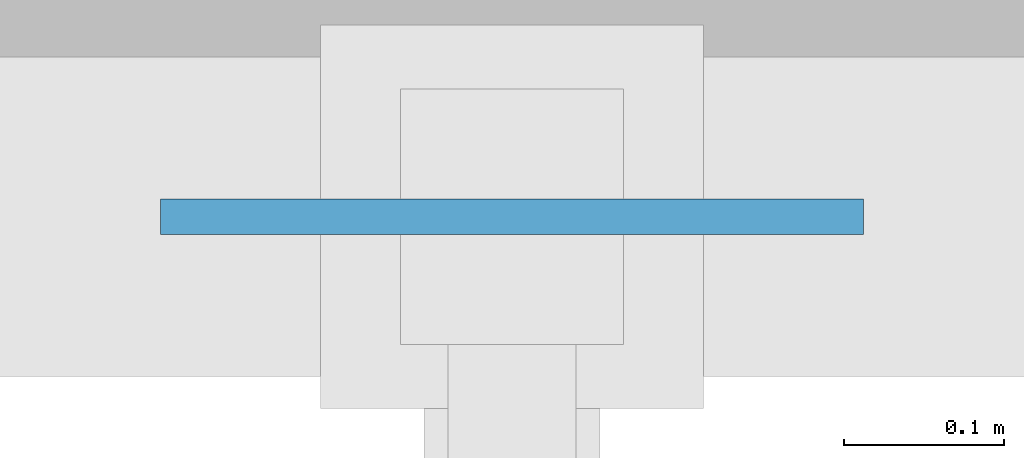
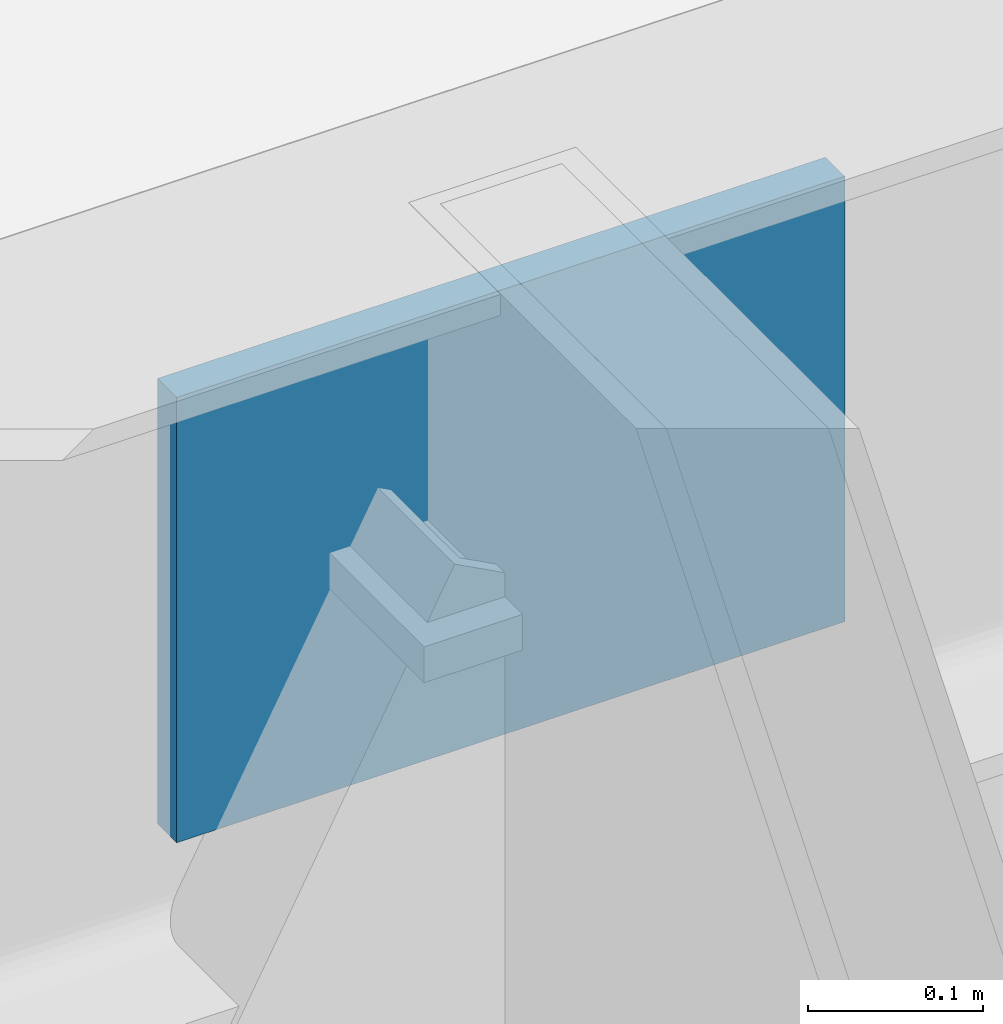
# One storey, part 86 of 138: 1 plate.
"""IFC4 building model written with IfcOpenShell, lengths in metres."""

from ifc_helpers import new_model, si_unit, direction, frame, origin, origin_2d, place, context, subcontext, project, spatial, rectangle, extrude, material, layer, layer_set, type_object, element, save


model = new_model("IFC4")

# Units and contexts
model_context = context("Model", 3, precision=1e-05, world=origin(), true_north=direction((0.0, 1.0)))
body_context = subcontext(model_context, "Body", "Model", "MODEL_VIEW")
ifc_project = project(units=[si_unit("LENGTHUNIT", "METRE"), si_unit("AREAUNIT", "SQUARE_METRE"), si_unit("VOLUMEUNIT", "CUBIC_METRE"), si_unit("PLANEANGLEUNIT", "RADIAN"), si_unit("MASSUNIT", "GRAM", prefix="KILO")], contexts=[model_context])

# Site, building, storey
site_placement = place(None, origin())
site = spatial("IfcSite", under=ifc_project, at=site_placement, CompositionType="ELEMENT")
building_placement = place(site_placement, origin())
building = spatial("IfcBuilding", under=site, at=building_placement, Name="Sundkrona Museum", CompositionType="ELEMENT")
storey_placement = place(building_placement, frame((0.0, 0.0, 9.60009765625)))
storey = spatial("IfcBuildingStorey", under=building, at=storey_placement, Name="L02", CompositionType="ELEMENT", Elevation=9.60009765625)

# Plate
ifc_material = material(Name="Steel S355J2", Category="steel")
ifc_layer = layer(ifc_material, 0.02197265625)
ifc_layer_set = layer_set([ifc_layer], Name="Steel S355J2")
plate_type = type_object("IfcPlateType", Name="GP-5", PredefinedType="USERDEFINED", material=ifc_layer_set)
plate_placement = place(storey_placement, frame((68.0, 78.0, 7.384765625), z_axis=(0.0, 0.0, 1.0), x_axis=(1.0, 0.0, 0.0)))
element("IfcPlate", 1, at=plate_placement, inside=storey, type_object=plate_type, Name="L02 Chevron Apex Gusset Plate 021", ObjectType="GUSSET PLATE", PredefinedType="USERDEFINED", context=body_context, shape_type="SweptSolid", body=[
    extrude(rectangle(XDim=0.43994140625, YDim=0.02197265625, at=origin_2d()), origin(), (0.0, 0.0, 1.0), 0.31005859375),
])

save(model, "model.ifc")
